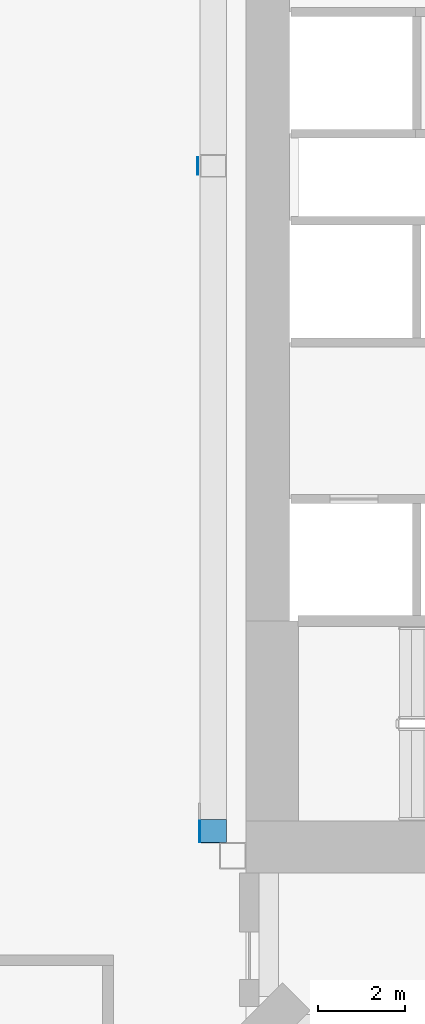
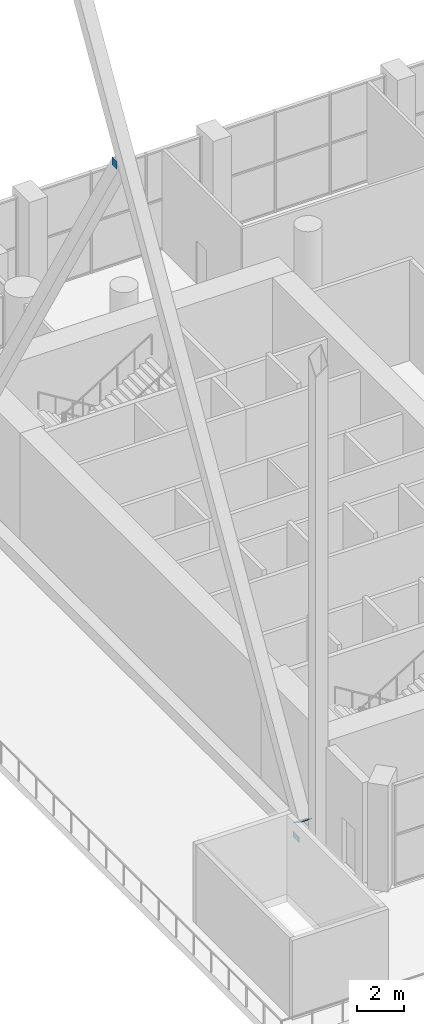
# One storey, part 18 of 26: 3 discrete accessories.
"""IFC4 building model written with IfcOpenShell, lengths in metres."""

from ifc_helpers import new_model, si_unit, direction, frame, origin, origin_2d, place, context, subcontext, project, spatial, rectangle, extrude, material, material_profile, profile_set, type_object, element, save


model = new_model("IFC4")

# Units and contexts
model_context = context("Model", 3, precision=1e-05, world=origin(), true_north=direction((0.0, 1.0)))
body_context = subcontext(model_context, "Body", "Model", "MODEL_VIEW")
ifc_project = project(units=[si_unit("LENGTHUNIT", "METRE"), si_unit("AREAUNIT", "SQUARE_METRE"), si_unit("VOLUMEUNIT", "CUBIC_METRE"), si_unit("PLANEANGLEUNIT", "RADIAN"), si_unit("MASSUNIT", "GRAM", prefix="KILO")], contexts=[model_context])

# Site, building, storey
site_placement = place(None, origin())
site = spatial("IfcSite", under=ifc_project, at=site_placement, CompositionType="ELEMENT")
building_placement = place(site_placement, origin())
building = spatial("IfcBuilding", under=site, at=building_placement, Name="Cypress Arch Tower", CompositionType="ELEMENT")
storey_placement = place(building_placement, frame((0.0, 0.0, 50.0)))
storey = spatial("IfcBuildingStorey", under=building, at=storey_placement, Name="L06", CompositionType="ELEMENT", Elevation=50.0)

# Discrete accessories
ifc_material_1 = material(Name="Steel ASTM A992", Category="steel")
ifc_material_profile_1 = material_profile(ifc_material_1, rectangle(XDim=0.609619140625, YDim=0.609619140625, at=origin_2d()), Name="PL 20 610x610")
ifc_profile_set_1 = profile_set([ifc_material_profile_1], Name="Steel ASTM A992")
discrete_accessory_type_1 = type_object("IfcDiscreteAccessoryType", Name="End cap plate 610x610x20 Steel ASTM A992", PredefinedType="ANCHORPLATE", material=ifc_profile_set_1)
discrete_accessory_1_placement = place(storey_placement, frame((-30.7548828125, -15.03369140625, 1.048583984375), z_axis=(0.0, -0.514495755428, -0.857492925713), x_axis=(1.0, 0.0, 0.0)))
element("IfcDiscreteAccessory", 1, at=discrete_accessory_1_placement, inside=storey, type_object=discrete_accessory_type_1, Name="End cap plate west bracing 1", PredefinedType="ANCHORPLATE", context=body_context, shape_type="SweptSolid", body=[
    extrude(rectangle(XDim=0.609619140625, YDim=0.609619140625, at=origin_2d()), origin(), (0.0, 0.0, 1.0), 0.02001953125),
])
ifc_material_2 = material(Name="Steel ASTM A992", Category="steel")
ifc_material_profile_2 = material_profile(ifc_material_2, rectangle(XDim=0.5, YDim=0.300048828125, at=origin_2d()), Name="PL 20 500x300")
ifc_profile_set_2 = profile_set([ifc_material_profile_2], Name="Steel ASTM A992")
discrete_accessory_type_2 = type_object("IfcDiscreteAccessoryType", Name="West bracing chord end plate 500x300x20 Steel ASTM A992", PredefinedType="ANCHORPLATE", material=ifc_profile_set_2)
discrete_accessory_2_placement = place(storey_placement, frame((-31.0595703125, -15.045166015625, 0.3046875), z_axis=(-1.0, 0.0, 0.0), x_axis=(0.0, -1.0, 0.0)))
element("IfcDiscreteAccessory", 2, at=discrete_accessory_2_placement, inside=storey, type_object=discrete_accessory_type_2, Name="End plate west bracing chord 1S", PredefinedType="ANCHORPLATE", context=body_context, shape_type="SweptSolid", body=[
    extrude(rectangle(XDim=0.5, YDim=0.300048828125, at=origin_2d()), origin(), (0.0, 0.0, 1.0), 0.02001953125),
])
ifc_material_3 = material(Name="Steel ASTM A992", Category="steel")
ifc_material_profile_3 = material_profile(ifc_material_3, rectangle(XDim=0.39990234375, YDim=0.39990234375, at=origin_2d()), Name="PL 20 400x400")
ifc_profile_set_3 = profile_set([ifc_material_profile_3], Name="Steel ASTM A992")
discrete_accessory_type_3 = type_object("IfcDiscreteAccessoryType", Name="West bracing diagonal end plate 400x400x20 Steel ASTM A992", PredefinedType="ANCHORPLATE", material=ifc_profile_set_3)
discrete_accessory_3_placement = place(storey_placement, frame((-31.099609375, 0.26171875, 25.863037109375), z_axis=(-1.0, 0.0, 0.0), x_axis=(0.0, -1.0, 0.0)))
element("IfcDiscreteAccessory", 3, at=discrete_accessory_3_placement, inside=storey, type_object=discrete_accessory_type_3, Name="End plate west bracing diagonal 1C", PredefinedType="ANCHORPLATE", context=body_context, shape_type="SweptSolid", body=[
    extrude(rectangle(XDim=0.39990234375, YDim=0.39990234375, at=origin_2d()), origin(), (0.0, 0.0, 1.0), 0.02001953125),
])

save(model, "model.ifc")
